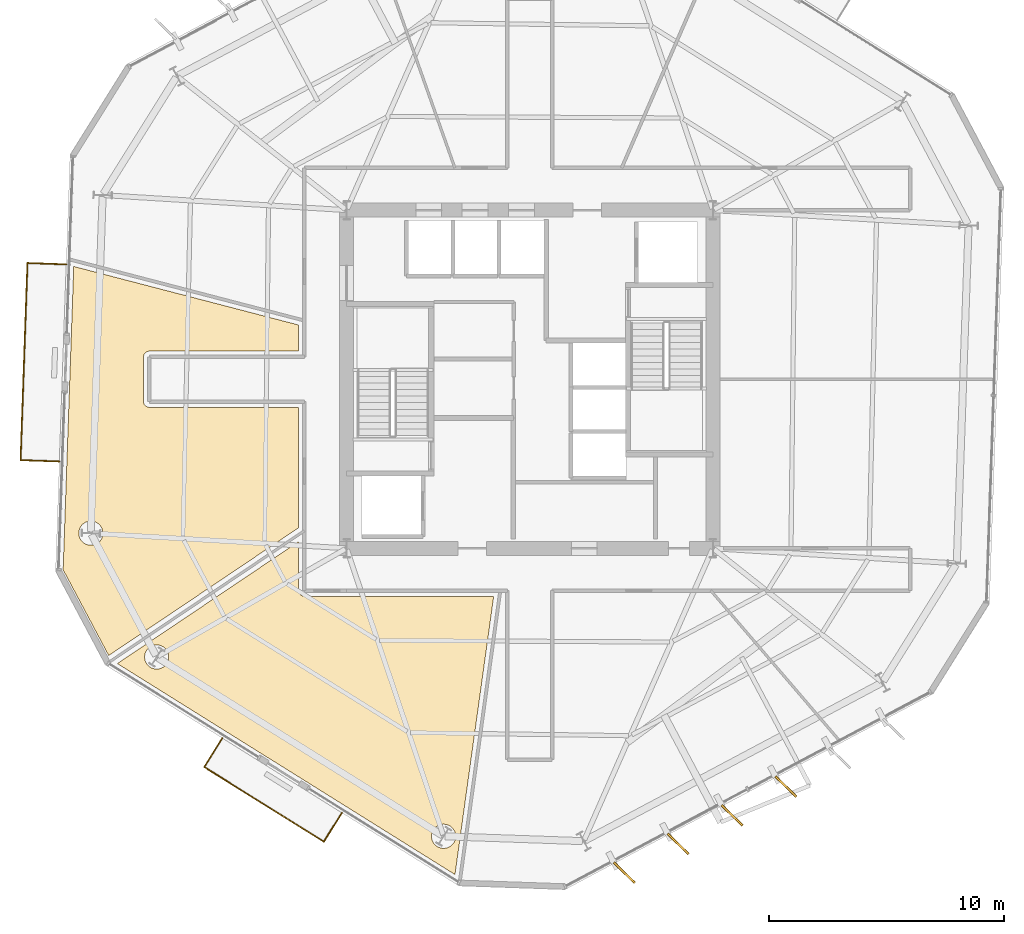
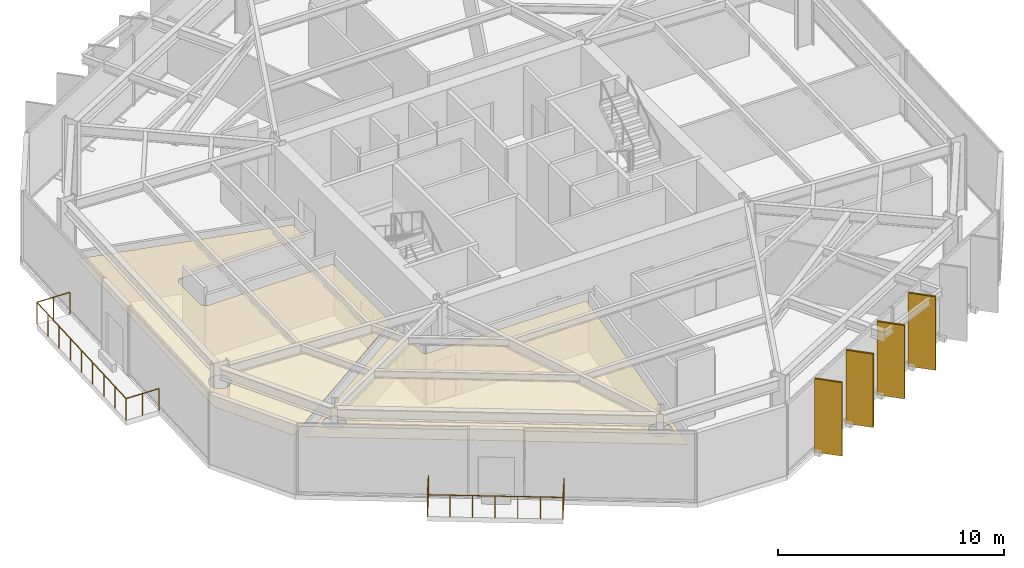
# One storey, part 10 of 12: 6 coverings, 4 shading devices, 2 railings.
"""IFC4 building model written with IfcOpenShell, lengths in metres."""

import ifcopenshell
import ifcopenshell.guid

model = None  # the IFC model being written
_history = None  # IfcOwnerHistory: only IFC2X3 demands one
_inside = {}  # id of a spatial element -> (the spatial element, [elements in it])
_under = {}  # id of a project, library or spatial element -> (it, [spatial elements below it])
_declared = {}  # id of a project -> (the project, [libraries it declares])
_typed = {}  # id of a type object -> (the type object, [elements of that type])
_made_of = {}  # id of a material, layer set ... -> (it, [elements and type objects made of it])


def new_model(schema):
    """Start an empty IFC model of exactly this schema.

    Asked for "IFC4X3", IfcOpenShell would pick the latest addendum, in which some entities
    have other attributes; the version numbers below select the first issue.
    IFC2X3 requires an IfcOwnerHistory on every rooted entity: one is made here for all.
    """
    global model, _history
    if schema == "IFC4X3":
        model = ifcopenshell.file(schema_version=(4, 3, 0, 0))
    else:
        model = ifcopenshell.file(schema=schema)
    _inside.clear()
    _under.clear()
    _declared.clear()
    _typed.clear()
    _made_of.clear()
    _history = None
    if model.schema == "IFC2X3":
        org = make("IfcOrganization", Name="unknown")
        user = make(
            "IfcPersonAndOrganization",
            ThePerson=make("IfcPerson", FamilyName="unknown"),
            TheOrganization=org,
        )
        app = make(
            "IfcApplication",
            ApplicationDeveloper=org,
            Version="unknown",
            ApplicationFullName="unknown",
            ApplicationIdentifier="unknown",
        )
        _history = make(
            "IfcOwnerHistory",
            OwningUser=user,
            OwningApplication=app,
            ChangeAction="ADDED",
            CreationDate=0,
        )
    return model


def make(cls, **values):
    """One entity of the class cls with the attributes given. An attribute that is None is left unset."""
    return model.create_entity(
        cls, **{name: value for name, value in values.items() if value is not None}
    )


def rooted(cls, **values):
    """An entity with a GlobalId (a new one), such as an element, a storey or a relation."""
    return make(cls, GlobalId=ifcopenshell.guid.new(), OwnerHistory=_history, **values)


def si_unit(unit_type, name, prefix=None):
    """IfcSIUnit, for example si_unit("LENGTHUNIT", "METRE", prefix="MILLI")."""
    return make("IfcSIUnit", UnitType=unit_type, Prefix=prefix, Name=name)


def assignment(units):
    """IfcUnitAssignment: the units of a project."""
    return None if units is None else make("IfcUnitAssignment", Units=units)


def point(xyz):
    """IfcCartesianPoint."""
    return None if xyz is None else make("IfcCartesianPoint", Coordinates=xyz)


def direction(xyz):
    """IfcDirection."""
    return None if xyz is None else make("IfcDirection", DirectionRatios=xyz)


def frame(location, z_axis=None, x_axis=None):
    """IfcAxis2Placement3D, a coordinate frame: its origin and axes. An axis left out is left unset."""
    return make(
        "IfcAxis2Placement3D",
        Location=point(location),
        Axis=direction(z_axis),
        RefDirection=direction(x_axis),
    )


def frame_2d(location, x_axis=None):
    """IfcAxis2Placement2D, a coordinate frame in the plane: its origin and x axis."""
    return make(
        "IfcAxis2Placement2D", Location=point(location), RefDirection=direction(x_axis)
    )


def origin():
    """The frame at (0, 0, 0) with its axes left unset."""
    return frame((0.0, 0.0, 0.0))


def origin_2d():
    """The frame at (0, 0) in the plane with its x axis left unset."""
    return frame_2d((0.0, 0.0))


def place(relative_to, where):
    """IfcLocalPlacement: puts the frame where relative to a parent placement (None: the world)."""
    return make(
        "IfcLocalPlacement", PlacementRelTo=relative_to, RelativePlacement=where
    )


def context(
    kind, dimensions, precision=None, world=None, true_north=None, identifier=None
):
    """IfcGeometricRepresentationContext, for example the 3D "Model" context."""
    return make(
        "IfcGeometricRepresentationContext",
        ContextIdentifier=identifier,
        ContextType=kind,
        CoordinateSpaceDimension=dimensions,
        Precision=precision,
        WorldCoordinateSystem=world,
        TrueNorth=true_north,
    )


def subcontext(parent, identifier, kind, view, scale=None):
    """IfcGeometricRepresentationSubContext, for example "Body" below "Model"."""
    return make(
        "IfcGeometricRepresentationSubContext",
        ContextIdentifier=identifier,
        ContextType=kind,
        ParentContext=parent,
        TargetScale=scale,
        TargetView=view,
    )


def project(units=None, contexts=None):
    """IfcProject with its units and contexts."""
    return rooted(
        "IfcProject",
        Name="project",
        RepresentationContexts=contexts,
        UnitsInContext=assignment(units),
    )


def spatial(cls, under=None, at=None, **own):
    """A site, building, storey or space (cls), placed at a placement, below another one or the project."""
    s = rooted(cls, ObjectPlacement=at, **own)
    if under is not None:
        _under.setdefault(under.id(), (under, []))[1].append(s)
    return s


def polyline(points):
    """IfcPolyline through the points."""
    return make("IfcPolyline", Points=[point(p) for p in points])


def profile(cls, at=None, kind="AREA", **sizes):
    """A parametric profile (cls). Its sizes go by their IFC names, for example OverallWidth=200.0."""
    return make(cls, ProfileType=kind, Position=at, **sizes)


def rectangle(**sizes):
    """IfcRectangleProfileDef."""
    return profile("IfcRectangleProfileDef", **sizes)


def circle(**sizes):
    """IfcCircleProfileDef."""
    return profile("IfcCircleProfileDef", **sizes)


def outline(outer, holes=None, kind="AREA"):
    """IfcArbitraryClosedProfileDef: a profile drawn as a closed curve; with holes, ...WithVoids."""
    if holes is None:
        return make("IfcArbitraryClosedProfileDef", ProfileType=kind, OuterCurve=outer)
    return make(
        "IfcArbitraryProfileDefWithVoids",
        ProfileType=kind,
        OuterCurve=outer,
        InnerCurves=holes,
    )


def extrude(swept, where, along, depth):
    """IfcExtrudedAreaSolid: the profile swept, set in the frame where, extruded along a direction by depth."""
    return make(
        "IfcExtrudedAreaSolid",
        SweptArea=swept,
        Position=where,
        ExtrudedDirection=direction(along),
        Depth=depth,
    )


def shape(context_of_items, identifier, shape_type, items):
    """IfcShapeRepresentation: the items that make up one representation, for example the "Body"."""
    return make(
        "IfcShapeRepresentation",
        ContextOfItems=context_of_items,
        RepresentationIdentifier=identifier,
        RepresentationType=shape_type,
        Items=items,
    )


def material(Name=None, Category=None):
    """IfcMaterial."""
    return make("IfcMaterial", Name=Name, Category=Category)


def layer(
    of_material, thickness, ventilated=None, Name=None, Category=None, Priority=None
):
    """IfcMaterialLayer: one layer of a wall or slab, of a material (None: an air gap)."""
    return make(
        "IfcMaterialLayer",
        Material=of_material,
        LayerThickness=thickness,
        IsVentilated=ventilated,
        Name=Name,
        Category=Category,
        Priority=Priority,
    )


def layer_set(layers, Name=None):
    """IfcMaterialLayerSet."""
    return make("IfcMaterialLayerSet", MaterialLayers=layers, LayerSetName=Name)


def made_of(thing, what):
    """Note that an element or type object is made of a material, layer set ...; save() writes the relation."""
    if what is not None:
        _made_of.setdefault(what.id(), (what, []))[1].append(thing)
    return thing


def type_object(cls, material=None, **own):
    """A type object (cls), such as IfcWallType, which elements share."""
    return made_of(rooted(cls, **own), material)


def element(
    cls,
    number,
    at=None,
    inside=None,
    cuts=None,
    type_object=None,
    material=None,
    context=None,
    identifier="Body",
    shape_type=None,
    held_by="IfcProductDefinitionShape",
    body=None,
    shapes=None,
    **own,
):
    """One element of the class cls, such as IfcWall. Its Tag is "e" and its number.

    at: its placement. inside: the storey or other place that contains it. cuts: it is an
    opening in that element (IfcRelVoidsElement). A single representation is given by context,
    identifier, shape_type and body (its items); several are given by shapes. held_by: the class
    of the entity that holds the representations. save() writes the other relations.
    """
    e = rooted(cls, Tag="e%d" % number, ObjectPlacement=at, **own)
    if body is not None:
        shapes = [shape(context, identifier, shape_type, body)]
    if shapes is not None:
        e.Representation = make(held_by, Representations=shapes)
    if inside is not None:
        _inside.setdefault(inside.id(), (inside, []))[1].append(e)
    if cuts is not None:
        rooted(
            "IfcRelVoidsElement", RelatingBuildingElement=cuts, RelatedOpeningElement=e
        )
    if type_object is not None:
        _typed.setdefault(type_object.id(), (type_object, []))[1].append(e)
    return made_of(e, material)


def aggregate(whole, parts):
    """IfcRelAggregates: a whole, such as a stair, and the parts it consists of."""
    return rooted("IfcRelAggregates", RelatingObject=whole, RelatedObjects=parts)


def save(model, path):
    """Write the relations noted so far, then the file.

    IfcRelAggregates (storeys below a building ...), IfcRelContainedInSpatialStructure (elements
    in a storey), IfcRelDefinesByType, IfcRelAssociatesMaterial and IfcRelDeclares: one each for
    every whole, place, type object, material and project.
    """
    for whole, parts in _under.values():
        aggregate(whole, parts)
    for where, things in _inside.values():
        rooted(
            "IfcRelContainedInSpatialStructure",
            RelatedElements=things,
            RelatingStructure=where,
        )
    for kind, things in _typed.values():
        rooted("IfcRelDefinesByType", RelatedObjects=things, RelatingType=kind)
    for what, things in _made_of.values():
        rooted("IfcRelAssociatesMaterial", RelatedObjects=things, RelatingMaterial=what)
    for by, libraries in _declared.values():
        rooted("IfcRelDeclares", RelatingContext=by, RelatedDefinitions=libraries)
    model.write(path)


model = new_model("IFC4")

# Units and contexts
model_context = context("Model", 3, precision=1e-05, world=origin(), true_north=direction((0.0, 1.0)))
body_context = subcontext(model_context, "Body", "Model", "MODEL_VIEW")
ifc_project = project(units=[si_unit("LENGTHUNIT", "METRE"), si_unit("AREAUNIT", "SQUARE_METRE"), si_unit("VOLUMEUNIT", "CUBIC_METRE"), si_unit("PLANEANGLEUNIT", "RADIAN"), si_unit("MASSUNIT", "GRAM", prefix="KILO")], contexts=[model_context])

# Site, building, storey
site_placement = place(None, origin())
site = spatial("IfcSite", under=ifc_project, at=site_placement, CompositionType="ELEMENT")
building_placement = place(site_placement, origin())
building = spatial("IfcBuilding", under=site, at=building_placement, Name="Kranzbogen Civic Tower", CompositionType="ELEMENT")
storey_placement = place(building_placement, frame((0.0, 0.0, 134.39990234375)))
storey = spatial("IfcBuildingStorey", under=building, at=storey_placement, Name="L32", CompositionType="ELEMENT", Elevation=134.39990234375)

# Coverings
ifc_material_1 = material(Name="Pale Anodised Aluminium", Category="aluminium")
ifc_layer_1 = layer(ifc_material_1, 0.02490234375, Name="Pale Anodised Aluminium")
ifc_layer_set_1 = layer_set([ifc_layer_1], Name="Pale Anodised Aluminium")
covering_type_1 = type_object("IfcCoveringType", Name="Anodised Aluminium Vertical Fin Cladding 25 mm", PredefinedType="CLADDING", material=ifc_layer_set_1)
for number, where, z_axis, x_axis, name in (
    (1, (29.028076171875, 3.986083984375, -0.139892578125), (0.0, 0.0, 1.0), (0.716338478666, -0.697752953403, 0.0), "L32 vertical fin pale-metal cladding F5-1"),
    (2, (31.322998046875, 5.20703125, -0.139892578125), (0.0, 0.0, 1.0), (0.716338478666, -0.697752953403, 0.0), "L32 vertical fin pale-metal cladding F5-2"),
    (3, (33.618896484375, 6.427001953125, -0.139892578125), (0.0, 0.0, 1.0), (0.716338478666, -0.697752953403, 0.0), "L32 vertical fin pale-metal cladding F5-3"),
    (4, (35.9150390625, 7.64794921875, -0.139892578125), (0.0, 0.0, 1.0), (0.716338478666, -0.697752953403, 0.0), "L32 vertical fin pale-metal cladding F5-4"),
):
    element("IfcCovering", number, at=place(storey_placement, frame(where, z_axis=z_axis, x_axis=x_axis)), inside=storey, type_object=covering_type_1, Name=name, PredefinedType="CLADDING", context=body_context, shape_type="SweptSolid", body=[
        extrude(rectangle(XDim=1.25, YDim=0.10009765625, at=origin_2d()), origin(), (0.0, 0.0, 1.0), 3.9599609375),
    ])

# Shading devices
ifc_material_2 = material(Name="Anodised Bronze Aluminium", Category="aluminium")
shading_device_type = type_object("IfcShadingDeviceType", Name="Anodised Bronze Vertical Facade Fin 1250x80", PredefinedType="USERDEFINED", material=ifc_material_2)
for number, where, z_axis, x_axis, name in (
    (5, (29.028076171875, 3.986083984375, -0.139892578125), (0.0, 0.0, 1.0), (0.716338478666, -0.697752953403, 0.0), "L32 vertical exterior shading fin F5-1"),
    (6, (31.322998046875, 5.20703125, -0.139892578125), (0.0, 0.0, 1.0), (0.716338478666, -0.697752953403, 0.0), "L32 vertical exterior shading fin F5-2"),
    (7, (33.618896484375, 6.427001953125, -0.139892578125), (0.0, 0.0, 1.0), (0.716338478666, -0.697752953403, 0.0), "L32 vertical exterior shading fin F5-3"),
    (8, (35.9150390625, 7.64794921875, -0.139892578125), (0.0, 0.0, 1.0), (0.716338478666, -0.697752953403, 0.0), "L32 vertical exterior shading fin F5-4"),
):
    element("IfcShadingDevice", number, at=place(storey_placement, frame(where, z_axis=z_axis, x_axis=x_axis)), inside=storey, type_object=shading_device_type, Name=name, ObjectType="FIN", PredefinedType="USERDEFINED", context=body_context, shape_type="SweptSolid", body=[
        extrude(rectangle(XDim=1.25, YDim=0.080078125, at=origin_2d()), origin(), (0.0, 0.0, 1.0), 3.9599609375),
    ])

# Railings
railing_type = type_object("IfcRailingType", Name="Cantilevered Balcony Glass and Bronze Balustrade 1200", PredefinedType="BALUSTRADE", material=ifc_material_2)
railing_1_placement = place(storey_placement, frame((11.909912109375, 9.714111328125, 0.0)))
element("IfcRailing", 9, at=railing_1_placement, inside=storey, type_object=railing_type, Name="L32 exterior terrace balustrade L32-TB2", PredefinedType="BALUSTRADE", context=body_context, shape_type="SweptSolid", body=[
    extrude(circle(Radius=0.02392578125, at=origin_2d()), frame((0.0, 0.0, 1.17578125), z_axis=(-0.529469187734, -0.848329169155, 0.0), x_axis=(0.848329169155, -0.529469187734, 0.0)), (0.0, 0.0, 1.0), 1.4501953125),
    extrude(circle(Radius=0.02392578125, at=origin_2d()), frame((-0.767822265625, -1.230224609375, 1.17578125), z_axis=(0.848044014651, -0.529925795952, 0.0), x_axis=(0.529925795952, 0.848044014651, 0.0)), (0.0, 0.0, 1.0), 6.000732421875),
    extrude(circle(Radius=0.02392578125, at=origin_2d()), frame((4.321044921875, -4.41015625, 1.17578125), z_axis=(0.529665959131, 0.84820632616, 0.0), x_axis=(-0.84820632616, 0.529665959131, 0.0)), (0.0, 0.0, 1.0), 1.4501953125),
    extrude(circle(Radius=0.02099609375, at=origin_2d()), origin(), (0.0, 0.0, 1.0), 1.15185546875),
    extrude(circle(Radius=0.02099609375, at=origin_2d()), frame((-0.3837890625, -0.615234375, 0.0)), (0.0, 0.0, 1.0), 1.15185546875),
    extrude(circle(Radius=0.02099609375, at=origin_2d()), frame((-0.767822265625, -1.230224609375, 0.0)), (0.0, 0.0, 1.0), 1.15185546875),
    extrude(circle(Radius=0.02099609375, at=origin_2d()), frame((0.080322265625, -1.76025390625, 0.0)), (0.0, 0.0, 1.0), 1.15185546875),
    extrude(circle(Radius=0.02099609375, at=origin_2d()), frame((0.928466796875, -2.290283203125, 0.0)), (0.0, 0.0, 1.0), 1.15185546875),
    extrude(circle(Radius=0.02099609375, at=origin_2d()), frame((1.776611328125, -2.8203125, 0.0)), (0.0, 0.0, 1.0), 1.15185546875),
    extrude(circle(Radius=0.02099609375, at=origin_2d()), frame((2.624755859375, -3.35009765625, 0.0)), (0.0, 0.0, 1.0), 1.15185546875),
    extrude(circle(Radius=0.02099609375, at=origin_2d()), frame((3.472900390625, -3.880126953125, 0.0)), (0.0, 0.0, 1.0), 1.15185546875),
    extrude(circle(Radius=0.02099609375, at=origin_2d()), frame((4.321044921875, -4.41015625, 0.0)), (0.0, 0.0, 1.0), 1.15185546875),
    extrude(circle(Radius=0.02099609375, at=origin_2d()), frame((4.705078125, -3.795166015625, 0.0)), (0.0, 0.0, 1.0), 1.15185546875),
    extrude(circle(Radius=0.02099609375, at=origin_2d()), frame((5.089111328125, -3.18017578125, 0.0)), (0.0, 0.0, 1.0), 1.15185546875),
])
railing_2_placement = place(storey_placement, frame((5.259033203125, 29.89208984375, 0.0)))
element("IfcRailing", 10, at=railing_2_placement, inside=storey, type_object=railing_type, Name="L32 exterior terrace balustrade L32-ST", PredefinedType="BALUSTRADE", context=body_context, shape_type="SweptSolid", body=[
    extrude(circle(Radius=0.02392578125, at=origin_2d()), frame((0.0, 0.0, 1.17578125), z_axis=(-0.999384902814, 0.035068732894, 0.0), x_axis=(-0.035068732894, -0.999384902814, 0.0)), (0.0, 0.0, 1.0), 1.64990234375),
    extrude(circle(Radius=0.02392578125, at=origin_2d()), frame((-1.64892578125, 0.057861328125, 1.17578125), z_axis=(-0.034905720996, -0.999390609643, 0.0), x_axis=(0.999390609643, -0.034905720996, 0.0)), (0.0, 0.0, 1.0), 8.400146484375),
    extrude(circle(Radius=0.02392578125, at=origin_2d()), frame((-1.942138671875, -8.337158203125, 1.17578125), z_axis=(0.999385084749, -0.035063547755, 0.0), x_axis=(0.035063547755, 0.999385084749, 0.0)), (0.0, 0.0, 1.0), 1.650146484375),
    extrude(circle(Radius=0.02099609375, at=origin_2d()), origin(), (0.0, 0.0, 1.0), 1.15185546875),
    extrude(circle(Radius=0.02099609375, at=origin_2d()), frame((-0.824462890625, 0.02880859375, 0.0)), (0.0, 0.0, 1.0), 1.15185546875),
    extrude(circle(Radius=0.02099609375, at=origin_2d()), frame((-1.64892578125, 0.057861328125, 0.0)), (0.0, 0.0, 1.0), 1.15185546875),
    extrude(circle(Radius=0.02099609375, at=origin_2d()), frame((-1.685546875, -0.991455078125, 0.0)), (0.0, 0.0, 1.0), 1.15185546875),
    extrude(circle(Radius=0.02099609375, at=origin_2d()), frame((-1.72216796875, -2.041015625, 0.0)), (0.0, 0.0, 1.0), 1.15185546875),
    extrude(circle(Radius=0.02099609375, at=origin_2d()), frame((-1.7587890625, -3.09033203125, 0.0)), (0.0, 0.0, 1.0), 1.15185546875),
    extrude(circle(Radius=0.02099609375, at=origin_2d()), frame((-1.79541015625, -4.1396484375, 0.0)), (0.0, 0.0, 1.0), 1.15185546875),
    extrude(circle(Radius=0.02099609375, at=origin_2d()), frame((-1.832275390625, -5.18896484375, 0.0)), (0.0, 0.0, 1.0), 1.15185546875),
    extrude(circle(Radius=0.02099609375, at=origin_2d()), frame((-1.868896484375, -6.23828125, 0.0)), (0.0, 0.0, 1.0), 1.15185546875),
    extrude(circle(Radius=0.02099609375, at=origin_2d()), frame((-1.905517578125, -7.287841796875, 0.0)), (0.0, 0.0, 1.0), 1.15185546875),
    extrude(circle(Radius=0.02099609375, at=origin_2d()), frame((-1.942138671875, -8.337158203125, 0.0)), (0.0, 0.0, 1.0), 1.15185546875),
    extrude(circle(Radius=0.02099609375, at=origin_2d()), frame((-1.11767578125, -8.3662109375, 0.0)), (0.0, 0.0, 1.0), 1.15185546875),
    extrude(circle(Radius=0.02099609375, at=origin_2d()), frame((-0.29296875, -8.39501953125, 0.0)), (0.0, 0.0, 1.0), 1.15185546875),
])

# Coverings
ifc_material_3 = material(Name="Perforated Acoustic Gypsum Ceiling")
ifc_layer_2 = layer(ifc_material_3, 0.02490234375, Name="Perforated Acoustic Gypsum Ceiling")
ifc_layer_set_2 = layer_set([ifc_layer_2], Name="Perforated Acoustic Gypsum Ceiling")
covering_type_2 = type_object("IfcCoveringType", Name="Perforated Acoustic Mineral Ceiling Tile 25 mm", PredefinedType="CEILING", material=ifc_layer_set_2)
covering_1_placement = place(storey_placement, frame((0.0, 0.0, 2.900146484375)))
element("IfcCovering", 11, at=covering_1_placement, inside=storey, type_object=covering_type_2, Name="L32 Executive Briefing Conference Room acoustic ceiling", PredefinedType="CEILING", context=body_context, shape_type="SweptSolid", body=[
    extrude(outline(polyline([(5.5810546875, 29.802001953125), (15.155029296875, 27.31005859375), (15.155029296875, 26.195068359375), (8.800048828125, 26.195068359375), (8.791015625, 26.195068359375), (8.784912109375, 26.194091796875), (8.76708984375, 26.193115234375), (8.760986328125, 26.19189453125), (8.743896484375, 26.18798828125), (8.737060546875, 26.18701171875), (8.719970703125, 26.181884765625), (8.714111328125, 26.179931640625), (8.697998046875, 26.173095703125), (8.69189453125, 26.169921875), (8.677001953125, 26.162109375), (8.6708984375, 26.157958984375), (8.656982421875, 26.14892578125), (8.652099609375, 26.14501953125), (8.637939453125, 26.134033203125), (8.633056640625, 26.12890625), (8.62109375, 26.116943359375), (8.615966796875, 26.112060546875), (8.60498046875, 26.097900390625), (8.60107421875, 26.093017578125), (8.592041015625, 26.0791015625), (8.587890625, 26.072998046875), (8.580078125, 26.05810546875), (8.576904296875, 26.052001953125), (8.570068359375, 26.035888671875), (8.568115234375, 26.030029296875), (8.56298828125, 26.012939453125), (8.56201171875, 26.006103515625), (8.55810546875, 25.989013671875), (8.556884765625, 25.98291015625), (8.555908203125, 25.965087890625), (8.554931640625, 25.958984375), (8.554931640625, 25.949951171875), (8.554931640625, 24.050048828125), (8.554931640625, 24.041015625), (8.555908203125, 24.034912109375), (8.556884765625, 24.01708984375), (8.55810546875, 24.010986328125), (8.56201171875, 23.993896484375), (8.56298828125, 23.987060546875), (8.568115234375, 23.969970703125), (8.570068359375, 23.964111328125), (8.576904296875, 23.947998046875), (8.580078125, 23.94189453125), (8.587890625, 23.927001953125), (8.592041015625, 23.9208984375), (8.60107421875, 23.906982421875), (8.60498046875, 23.902099609375), (8.615966796875, 23.887939453125), (8.62109375, 23.883056640625), (8.633056640625, 23.87109375), (8.637939453125, 23.865966796875), (8.652099609375, 23.85498046875), (8.656982421875, 23.85107421875), (8.6708984375, 23.842041015625), (8.677001953125, 23.837890625), (8.69189453125, 23.830078125), (8.697998046875, 23.826904296875), (8.714111328125, 23.820068359375), (8.719970703125, 23.818115234375), (8.737060546875, 23.81298828125), (8.743896484375, 23.81201171875), (8.760986328125, 23.80810546875), (8.76708984375, 23.806884765625), (8.784912109375, 23.805908203125), (8.791015625, 23.804931640625), (8.800048828125, 23.804931640625), (15.155029296875, 23.804931640625), (15.155029296875, 18.673095703125), (7.070068359375, 13.235107421875), (5.1298828125, 16.885009765625), (5.5810546875, 29.802001953125)]), holes=[polyline([(6.784912109375, 18.2470703125), (6.763916015625, 18.201904296875), (6.738037109375, 18.157958984375), (6.7080078125, 18.117919921875), (6.674072265625, 18.080078125), (6.635986328125, 18.0458984375), (6.595947265625, 18.01611328125), (6.552001953125, 17.989990234375), (6.507080078125, 17.968994140625), (6.458984375, 17.951904296875), (6.409912109375, 17.93994140625), (6.360107421875, 17.931884765625), (6.31005859375, 17.929931640625), (6.260009765625, 17.931884765625), (6.2099609375, 17.93994140625), (6.160888671875, 17.951904296875), (6.113037109375, 17.968994140625), (6.068115234375, 17.989990234375), (6.02392578125, 18.01611328125), (5.98388671875, 18.0458984375), (5.946044921875, 18.080078125), (5.912109375, 18.117919921875), (5.882080078125, 18.157958984375), (5.85595703125, 18.201904296875), (5.8349609375, 18.2470703125), (5.818115234375, 18.294921875), (5.805908203125, 18.343994140625), (5.798095703125, 18.39404296875), (5.7958984375, 18.444091796875), (5.798095703125, 18.493896484375), (5.805908203125, 18.5439453125), (5.818115234375, 18.593017578125), (5.8349609375, 18.64111328125), (5.85595703125, 18.68603515625), (5.882080078125, 18.72998046875), (5.912109375, 18.77001953125), (5.946044921875, 18.80810546875), (5.98388671875, 18.842041015625), (6.02392578125, 18.8720703125), (6.068115234375, 18.89794921875), (6.113037109375, 18.9189453125), (6.160888671875, 18.93603515625), (6.2099609375, 18.947998046875), (6.260009765625, 18.9560546875), (6.31005859375, 18.9580078125), (6.360107421875, 18.9560546875), (6.409912109375, 18.947998046875), (6.458984375, 18.93603515625), (6.507080078125, 18.9189453125), (6.552001953125, 18.89794921875), (6.595947265625, 18.8720703125), (6.635986328125, 18.842041015625), (6.674072265625, 18.80810546875), (6.7080078125, 18.77001953125), (6.738037109375, 18.72998046875), (6.763916015625, 18.68603515625), (6.784912109375, 18.64111328125), (6.802001953125, 18.593017578125), (6.81396484375, 18.5439453125), (6.822021484375, 18.493896484375), (6.823974609375, 18.444091796875), (6.822021484375, 18.39404296875), (6.81396484375, 18.343994140625), (6.802001953125, 18.294921875), (6.784912109375, 18.2470703125)])]), origin(), (0.0, 0.0, 1.0), 0.02490234375),
])
covering_2_placement = place(storey_placement, frame((0.0, 0.0, 2.900146484375)))
element("IfcCovering", 12, at=covering_2_placement, inside=storey, type_object=covering_type_2, Name="L32 Parliamentary Review Boardroom acoustic ceiling", PredefinedType="CEILING", context=body_context, shape_type="SweptSolid", body=[
    extrude(outline(polyline([(15.155029296875, 18.0830078125), (15.155029296875, 16.0), (15.155029296875, 15.990966796875), (15.156005859375, 15.985107421875), (15.156982421875, 15.967041015625), (15.157958984375, 15.9609375), (15.162109375, 15.944091796875), (15.1630859375, 15.93701171875), (15.16796875, 15.919921875), (15.169921875, 15.9140625), (15.177001953125, 15.89794921875), (15.179931640625, 15.89208984375), (15.18798828125, 15.876953125), (15.19189453125, 15.87109375), (15.200927734375, 15.85693359375), (15.205078125, 15.85205078125), (15.216064453125, 15.837890625), (15.220947265625, 15.8330078125), (15.23291015625, 15.821044921875), (15.238037109375, 15.81591796875), (15.251953125, 15.804931640625), (15.257080078125, 15.801025390625), (15.27099609375, 15.7919921875), (15.277099609375, 15.7880859375), (15.2919921875, 15.780029296875), (15.298095703125, 15.777099609375), (15.31396484375, 15.77001953125), (15.320068359375, 15.76806640625), (15.3369140625, 15.762939453125), (15.343994140625, 15.761962890625), (15.361083984375, 15.758056640625), (15.366943359375, 15.757080078125), (15.385009765625, 15.756103515625), (15.39111328125, 15.7548828125), (15.39990234375, 15.7548828125), (23.466064453125, 15.7548828125), (21.81689453125, 3.906982421875), (7.43701171875, 12.89111328125), (15.155029296875, 18.0830078125)]), holes=[polyline([(21.806884765625, 5.339111328125), (21.785888671875, 5.2939453125), (21.760009765625, 5.25), (21.72998046875, 5.2099609375), (21.696044921875, 5.172119140625), (21.657958984375, 5.137939453125), (21.617919921875, 5.10791015625), (21.573974609375, 5.08203125), (21.529052734375, 5.06103515625), (21.48095703125, 5.0439453125), (21.431884765625, 5.031982421875), (21.382080078125, 5.02392578125), (21.33203125, 5.02197265625), (21.281982421875, 5.02392578125), (21.23193359375, 5.031982421875), (21.18310546875, 5.0439453125), (21.135009765625, 5.06103515625), (21.090087890625, 5.08203125), (21.0458984375, 5.10791015625), (21.006103515625, 5.137939453125), (20.968017578125, 5.172119140625), (20.93408203125, 5.2099609375), (20.904052734375, 5.25), (20.8779296875, 5.2939453125), (20.85693359375, 5.339111328125), (20.840087890625, 5.386962890625), (20.827880859375, 5.43603515625), (20.820068359375, 5.486083984375), (20.818115234375, 5.535888671875), (20.820068359375, 5.5859375), (20.827880859375, 5.635986328125), (20.840087890625, 5.68505859375), (20.85693359375, 5.73291015625), (20.8779296875, 5.778076171875), (20.904052734375, 5.822021484375), (20.93408203125, 5.862060546875), (20.968017578125, 5.89990234375), (21.006103515625, 5.93408203125), (21.0458984375, 5.964111328125), (21.090087890625, 5.989990234375), (21.135009765625, 6.010986328125), (21.18310546875, 6.028076171875), (21.23193359375, 6.0400390625), (21.281982421875, 6.048095703125), (21.33203125, 6.050048828125), (21.382080078125, 6.048095703125), (21.431884765625, 6.0400390625), (21.48095703125, 6.028076171875), (21.529052734375, 6.010986328125), (21.573974609375, 5.989990234375), (21.617919921875, 5.964111328125), (21.657958984375, 5.93408203125), (21.696044921875, 5.89990234375), (21.72998046875, 5.862060546875), (21.760009765625, 5.822021484375), (21.785888671875, 5.778076171875), (21.806884765625, 5.73291015625), (21.823974609375, 5.68505859375), (21.8359375, 5.635986328125), (21.843994140625, 5.5859375), (21.845947265625, 5.535888671875), (21.843994140625, 5.486083984375), (21.8359375, 5.43603515625), (21.823974609375, 5.386962890625), (21.806884765625, 5.339111328125)]), polyline([(9.589111328125, 12.97412109375), (9.568115234375, 12.928955078125), (9.5419921875, 12.885009765625), (9.511962890625, 12.844970703125), (9.47802734375, 12.806884765625), (9.43994140625, 12.77294921875), (9.39990234375, 12.742919921875), (9.35595703125, 12.717041015625), (9.31103515625, 12.696044921875), (9.262939453125, 12.678955078125), (9.214111328125, 12.6669921875), (9.1640625, 12.658935546875), (9.114013671875, 12.656982421875), (9.06396484375, 12.658935546875), (9.013916015625, 12.6669921875), (8.965087890625, 12.678955078125), (8.9169921875, 12.696044921875), (8.8720703125, 12.717041015625), (8.827880859375, 12.742919921875), (8.7880859375, 12.77294921875), (8.75, 12.806884765625), (8.716064453125, 12.844970703125), (8.68603515625, 12.885009765625), (8.659912109375, 12.928955078125), (8.638916015625, 12.97412109375), (8.6220703125, 13.02197265625), (8.610107421875, 13.071044921875), (8.60205078125, 13.12109375), (8.60009765625, 13.1708984375), (8.60205078125, 13.220947265625), (8.610107421875, 13.27099609375), (8.6220703125, 13.320068359375), (8.638916015625, 13.367919921875), (8.659912109375, 13.4130859375), (8.68603515625, 13.45703125), (8.716064453125, 13.4970703125), (8.75, 13.534912109375), (8.7880859375, 13.569091796875), (8.827880859375, 13.59912109375), (8.8720703125, 13.625), (8.9169921875, 13.64599609375), (8.965087890625, 13.6630859375), (9.013916015625, 13.675048828125), (9.06396484375, 13.68310546875), (9.114013671875, 13.68505859375), (9.1640625, 13.68310546875), (9.214111328125, 13.675048828125), (9.262939453125, 13.6630859375), (9.31103515625, 13.64599609375), (9.35595703125, 13.625), (9.39990234375, 13.59912109375), (9.43994140625, 13.569091796875), (9.47802734375, 13.534912109375), (9.511962890625, 13.4970703125), (9.5419921875, 13.45703125), (9.568115234375, 13.4130859375), (9.589111328125, 13.367919921875), (9.60595703125, 13.320068359375), (9.617919921875, 13.27099609375), (9.6259765625, 13.220947265625), (9.6279296875, 13.1708984375), (9.6259765625, 13.12109375), (9.617919921875, 13.071044921875), (9.60595703125, 13.02197265625), (9.589111328125, 12.97412109375)])]), origin(), (0.0, 0.0, 1.0), 0.02490234375),
])

save(model, "model.ifc")
